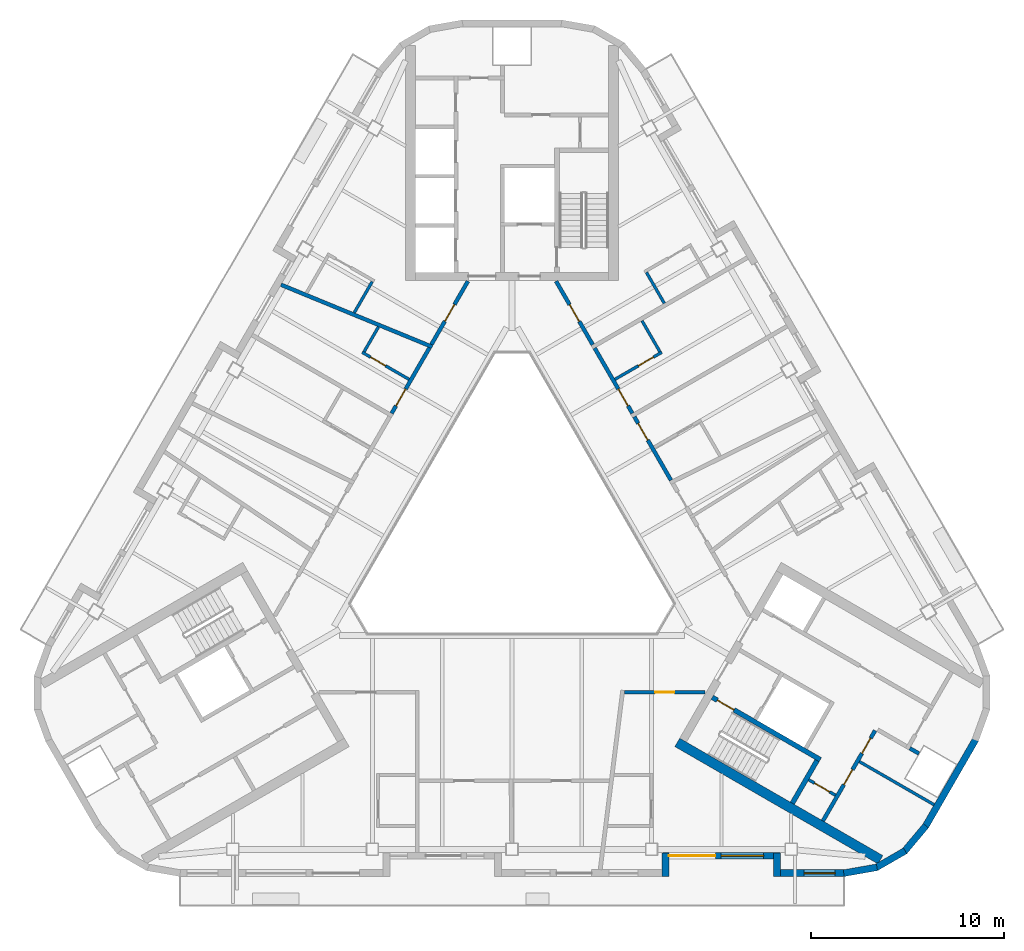
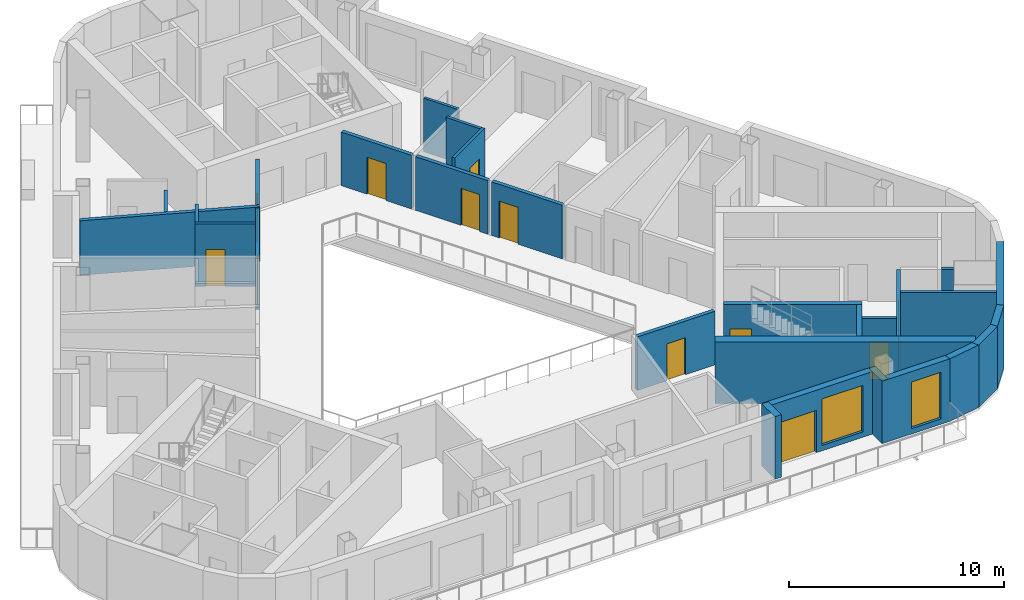
# One storey, part 5 of 13: 28 walls, 13 doors, 2 windows, 15 openings.
"""IFC4 building model written with IfcOpenShell, lengths in metres."""

import ifcopenshell
import ifcopenshell.guid

model = None  # the IFC model being written
_history = None  # IfcOwnerHistory: only IFC2X3 demands one
_inside = {}  # id of a spatial element -> (the spatial element, [elements in it])
_under = {}  # id of a project, library or spatial element -> (it, [spatial elements below it])
_declared = {}  # id of a project -> (the project, [libraries it declares])
_typed = {}  # id of a type object -> (the type object, [elements of that type])
_made_of = {}  # id of a material, layer set ... -> (it, [elements and type objects made of it])


def new_model(schema):
    """Start an empty IFC model of exactly this schema.

    Asked for "IFC4X3", IfcOpenShell would pick the latest addendum, in which some entities
    have other attributes; the version numbers below select the first issue.
    IFC2X3 requires an IfcOwnerHistory on every rooted entity: one is made here for all.
    """
    global model, _history
    if schema == "IFC4X3":
        model = ifcopenshell.file(schema_version=(4, 3, 0, 0))
    else:
        model = ifcopenshell.file(schema=schema)
    _inside.clear()
    _under.clear()
    _declared.clear()
    _typed.clear()
    _made_of.clear()
    _history = None
    if model.schema == "IFC2X3":
        org = make("IfcOrganization", Name="unknown")
        user = make(
            "IfcPersonAndOrganization",
            ThePerson=make("IfcPerson", FamilyName="unknown"),
            TheOrganization=org,
        )
        app = make(
            "IfcApplication",
            ApplicationDeveloper=org,
            Version="unknown",
            ApplicationFullName="unknown",
            ApplicationIdentifier="unknown",
        )
        _history = make(
            "IfcOwnerHistory",
            OwningUser=user,
            OwningApplication=app,
            ChangeAction="ADDED",
            CreationDate=0,
        )
    return model


def make(cls, **values):
    """One entity of the class cls with the attributes given. An attribute that is None is left unset."""
    return model.create_entity(
        cls, **{name: value for name, value in values.items() if value is not None}
    )


def rooted(cls, **values):
    """An entity with a GlobalId (a new one), such as an element, a storey or a relation."""
    return make(cls, GlobalId=ifcopenshell.guid.new(), OwnerHistory=_history, **values)


def si_unit(unit_type, name, prefix=None):
    """IfcSIUnit, for example si_unit("LENGTHUNIT", "METRE", prefix="MILLI")."""
    return make("IfcSIUnit", UnitType=unit_type, Prefix=prefix, Name=name)


def assignment(units):
    """IfcUnitAssignment: the units of a project."""
    return None if units is None else make("IfcUnitAssignment", Units=units)


def point(xyz):
    """IfcCartesianPoint."""
    return None if xyz is None else make("IfcCartesianPoint", Coordinates=xyz)


def direction(xyz):
    """IfcDirection."""
    return None if xyz is None else make("IfcDirection", DirectionRatios=xyz)


def frame(location, z_axis=None, x_axis=None):
    """IfcAxis2Placement3D, a coordinate frame: its origin and axes. An axis left out is left unset."""
    return make(
        "IfcAxis2Placement3D",
        Location=point(location),
        Axis=direction(z_axis),
        RefDirection=direction(x_axis),
    )


def frame_2d(location, x_axis=None):
    """IfcAxis2Placement2D, a coordinate frame in the plane: its origin and x axis."""
    return make(
        "IfcAxis2Placement2D", Location=point(location), RefDirection=direction(x_axis)
    )


def origin():
    """The frame at (0, 0, 0) with its axes left unset."""
    return frame((0.0, 0.0, 0.0))


def place(relative_to, where):
    """IfcLocalPlacement: puts the frame where relative to a parent placement (None: the world)."""
    return make(
        "IfcLocalPlacement", PlacementRelTo=relative_to, RelativePlacement=where
    )


def context(
    kind, dimensions, precision=None, world=None, true_north=None, identifier=None
):
    """IfcGeometricRepresentationContext, for example the 3D "Model" context."""
    return make(
        "IfcGeometricRepresentationContext",
        ContextIdentifier=identifier,
        ContextType=kind,
        CoordinateSpaceDimension=dimensions,
        Precision=precision,
        WorldCoordinateSystem=world,
        TrueNorth=true_north,
    )


def subcontext(parent, identifier, kind, view, scale=None):
    """IfcGeometricRepresentationSubContext, for example "Body" below "Model"."""
    return make(
        "IfcGeometricRepresentationSubContext",
        ContextIdentifier=identifier,
        ContextType=kind,
        ParentContext=parent,
        TargetScale=scale,
        TargetView=view,
    )


def project(units=None, contexts=None):
    """IfcProject with its units and contexts."""
    return rooted(
        "IfcProject",
        Name="project",
        RepresentationContexts=contexts,
        UnitsInContext=assignment(units),
    )


def spatial(cls, under=None, at=None, **own):
    """A site, building, storey or space (cls), placed at a placement, below another one or the project."""
    s = rooted(cls, ObjectPlacement=at, **own)
    if under is not None:
        _under.setdefault(under.id(), (under, []))[1].append(s)
    return s


def profile(cls, at=None, kind="AREA", **sizes):
    """A parametric profile (cls). Its sizes go by their IFC names, for example OverallWidth=200.0."""
    return make(cls, ProfileType=kind, Position=at, **sizes)


def rectangle(**sizes):
    """IfcRectangleProfileDef."""
    return profile("IfcRectangleProfileDef", **sizes)


def extrude(swept, where, along, depth):
    """IfcExtrudedAreaSolid: the profile swept, set in the frame where, extruded along a direction by depth."""
    return make(
        "IfcExtrudedAreaSolid",
        SweptArea=swept,
        Position=where,
        ExtrudedDirection=direction(along),
        Depth=depth,
    )


def shape(context_of_items, identifier, shape_type, items):
    """IfcShapeRepresentation: the items that make up one representation, for example the "Body"."""
    return make(
        "IfcShapeRepresentation",
        ContextOfItems=context_of_items,
        RepresentationIdentifier=identifier,
        RepresentationType=shape_type,
        Items=items,
    )


def material(Name=None, Category=None):
    """IfcMaterial."""
    return make("IfcMaterial", Name=Name, Category=Category)


def layer(
    of_material, thickness, ventilated=None, Name=None, Category=None, Priority=None
):
    """IfcMaterialLayer: one layer of a wall or slab, of a material (None: an air gap)."""
    return make(
        "IfcMaterialLayer",
        Material=of_material,
        LayerThickness=thickness,
        IsVentilated=ventilated,
        Name=Name,
        Category=Category,
        Priority=Priority,
    )


def layer_set(layers, Name=None):
    """IfcMaterialLayerSet."""
    return make("IfcMaterialLayerSet", MaterialLayers=layers, LayerSetName=Name)


def made_of(thing, what):
    """Note that an element or type object is made of a material, layer set ...; save() writes the relation."""
    if what is not None:
        _made_of.setdefault(what.id(), (what, []))[1].append(thing)
    return thing


def type_object(cls, material=None, **own):
    """A type object (cls), such as IfcWallType, which elements share."""
    return made_of(rooted(cls, **own), material)


def element(
    cls,
    number,
    at=None,
    inside=None,
    cuts=None,
    type_object=None,
    material=None,
    context=None,
    identifier="Body",
    shape_type=None,
    held_by="IfcProductDefinitionShape",
    body=None,
    shapes=None,
    **own,
):
    """One element of the class cls, such as IfcWall. Its Tag is "e" and its number.

    at: its placement. inside: the storey or other place that contains it. cuts: it is an
    opening in that element (IfcRelVoidsElement). A single representation is given by context,
    identifier, shape_type and body (its items); several are given by shapes. held_by: the class
    of the entity that holds the representations. save() writes the other relations.
    """
    e = rooted(cls, Tag="e%d" % number, ObjectPlacement=at, **own)
    if body is not None:
        shapes = [shape(context, identifier, shape_type, body)]
    if shapes is not None:
        e.Representation = make(held_by, Representations=shapes)
    if inside is not None:
        _inside.setdefault(inside.id(), (inside, []))[1].append(e)
    if cuts is not None:
        rooted(
            "IfcRelVoidsElement", RelatingBuildingElement=cuts, RelatedOpeningElement=e
        )
    if type_object is not None:
        _typed.setdefault(type_object.id(), (type_object, []))[1].append(e)
    return made_of(e, material)


def fill(opening, filler):
    """IfcRelFillsElement: the door or window that sits in an opening."""
    return rooted(
        "IfcRelFillsElement",
        RelatingOpeningElement=opening,
        RelatedBuildingElement=filler,
    )


def aggregate(whole, parts):
    """IfcRelAggregates: a whole, such as a stair, and the parts it consists of."""
    return rooted("IfcRelAggregates", RelatingObject=whole, RelatedObjects=parts)


def save(model, path):
    """Write the relations noted so far, then the file.

    IfcRelAggregates (storeys below a building ...), IfcRelContainedInSpatialStructure (elements
    in a storey), IfcRelDefinesByType, IfcRelAssociatesMaterial and IfcRelDeclares: one each for
    every whole, place, type object, material and project.
    """
    for whole, parts in _under.values():
        aggregate(whole, parts)
    for where, things in _inside.values():
        rooted(
            "IfcRelContainedInSpatialStructure",
            RelatedElements=things,
            RelatingStructure=where,
        )
    for kind, things in _typed.values():
        rooted("IfcRelDefinesByType", RelatedObjects=things, RelatingType=kind)
    for what, things in _made_of.values():
        rooted("IfcRelAssociatesMaterial", RelatedObjects=things, RelatingMaterial=what)
    for by, libraries in _declared.values():
        rooted("IfcRelDeclares", RelatingContext=by, RelatedDefinitions=libraries)
    model.write(path)


model = new_model("IFC4")

# Units and contexts
model_context = context("Model", 3, precision=1e-05, world=origin(), true_north=direction((0.0, 1.0)))
body_context = subcontext(model_context, "Body", "Model", "MODEL_VIEW")
ifc_project = project(units=[si_unit("LENGTHUNIT", "METRE"), si_unit("AREAUNIT", "SQUARE_METRE"), si_unit("VOLUMEUNIT", "CUBIC_METRE"), si_unit("PLANEANGLEUNIT", "RADIAN"), si_unit("MASSUNIT", "GRAM", prefix="KILO")], contexts=[model_context])

# Site, building, storey
site_placement = place(None, origin())
site = spatial("IfcSite", under=ifc_project, at=site_placement, CompositionType="ELEMENT")
building_placement = place(site_placement, origin())
building = spatial("IfcBuilding", under=site, at=building_placement, Name="Apuvela Tower Hotel", CompositionType="ELEMENT")
storey_placement = place(building_placement, frame((0.0, 0.0, 283.699951171875)))
storey = spatial("IfcBuildingStorey", under=building, at=storey_placement, Name="L70", CompositionType="ELEMENT", Elevation=283.699951171875)

# Wall
ifc_material_1 = material(Name="Concrete C50/60", Category="concrete")
ifc_layer_1 = layer(ifc_material_1, 0.5)
ifc_layer_set_1 = layer_set([ifc_layer_1], Name="COR-WALL-CORE-500")
wall_type_1 = type_object("IfcWallType", Name="COR-WALL-CORE-500", PredefinedType="SHEAR", material=ifc_layer_set_1)
wall_1_placement = place(storey_placement, frame((8.546630859375, -10.99658203125, 0.0), z_axis=(0.0, 0.0, 1.0), x_axis=(0.866024688907, -0.500001238203, 0.0)))
element("IfcWall", 1, at=wall_1_placement, inside=storey, type_object=wall_type_1, Name="Core wall SE", PredefinedType="SHEAR", context=body_context, shape_type="SweptSolid", body=[
    extrude(rectangle(XDim=12.12890625, YDim=0.5, at=frame_2d((6.064453125, 0.0))), origin(), (0.0, 0.0, 1.0), 3.5),
])

# Wall, opening, door
ifc_material_2 = material(Name="Blockwork 150 mm plastered", Category="masonry")
ifc_layer_2 = layer(ifc_material_2, 0.14990234375)
ifc_layer_set_2 = layer_set([ifc_layer_2], Name="COR-WALL-PART-150")
wall_type_2 = type_object("IfcWallType", Name="COR-WALL-PART-150", PredefinedType="PARTITIONING", material=ifc_layer_set_2)
wall_2_placement = place(storey_placement, frame((15.341552734375, -12.927734375, 0.0), z_axis=(0.0, 0.0, 1.0), x_axis=(0.865989903783, -0.500061482766, 0.0)))
wall_2 = element("IfcWall", 2, at=wall_2_placement, inside=storey, type_object=wall_type_2, Name="Partition SE", PredefinedType="PARTITIONING", context=body_context, shape_type="SweptSolid", body=[
    extrude(rectangle(XDim=1.599853515625, YDim=0.14990234375, at=frame_2d((0.7998046875, 0.0))), origin(), (0.0, 0.0, 1.0), 3.5),
])
opening_1_placement = place(wall_2_placement, frame((0.35009765625, 0.0, 0.0)))
opening_1 = element("IfcOpeningElement", 3, at=opening_1_placement, cuts=wall_2, Name="Opening E-RD", PredefinedType="OPENING", context=body_context, shape_type="SweptSolid", body=[
    extrude(rectangle(XDim=0.89990234375, YDim=2.10009765625, at=frame_2d((0.449951171875, 1.050048828125))), frame((0.0, 0.0849609375, 0.0), z_axis=(0.0, -1.0, 0.0), x_axis=(1.0, 0.0, 0.0)), (0.0, 0.0, 1.0), 0.169921875),
])
ifc_material_3 = material(Name="Steel access door, powder coated", Category="steel")
door_type_1 = type_object("IfcDoorType", Name="COR-RD-900", OperationType="NOTDEFINED", PredefinedType="DOOR", material=ifc_material_3)
door_1_placement = place(opening_1_placement, frame((0.89990234375, 0.0, 0.0), z_axis=(0.0, 0.0, 1.0), x_axis=(-1.0, 0.0, 0.0)))
door_1 = element("IfcDoor", 4, at=door_1_placement, inside=storey, type_object=door_type_1, Name="Riser door E-RD", OperationType="SINGLE_SWING_LEFT", OverallHeight=2.10009765625, OverallWidth=0.89990234375, PredefinedType="DOOR", context=body_context, shape_type="SweptSolid", body=[
    extrude(rectangle(XDim=0.89990234375, YDim=2.10009765625, at=frame_2d((0.449951171875, 1.050048828125))), frame((0.0, 0.02490234375, 0.0), z_axis=(0.0, -1.0, 0.0), x_axis=(1.0, 0.0, 0.0)), (0.0, 0.0, 1.0), 0.050048828125),
])
fill(opening_1, door_1)

# Wall
wall_3_placement = place(storey_placement, frame((17.962890625, -11.9873046875, 0.0), z_axis=(0.0, 0.0, 1.0), x_axis=(0.866010510293, -0.500025795397, 0.0)))
element("IfcWall", 5, at=wall_3_placement, inside=storey, type_object=wall_type_2, Name="Partition SE", PredefinedType="PARTITIONING", context=body_context, shape_type="SweptSolid", body=[
    extrude(rectangle(XDim=4.458740234375, YDim=0.14990234375, at=frame_2d((2.2294921875, 0.0))), origin(), (0.0, 0.0, 1.0), 3.5),
])

# Wall, openings, doors
ifc_material_4 = material(Name="Blockwork 200 mm plastered", Category="masonry")
ifc_layer_3 = layer(ifc_material_4, 0.199951171875)
ifc_layer_set_3 = layer_set([ifc_layer_3], Name="COR-WALL-PART-200")
wall_type_3 = type_object("IfcWallType", Name="COR-WALL-PART-200", PredefinedType="PARTITIONING", material=ifc_layer_set_3)
wall_4_placement = place(storey_placement, frame((16.076171875, -15.05517578125, 0.0), z_axis=(0.0, 0.0, 1.0), x_axis=(0.499995103361, 0.866028230842, 0.0)))
wall_4 = element("IfcWall", 6, at=wall_4_placement, inside=storey, type_object=wall_type_3, Name="Partition SE", PredefinedType="PARTITIONING", context=body_context, shape_type="SweptSolid", body=[
    extrude(rectangle(XDim=5.39990234375, YDim=0.199951171875, at=frame_2d((2.699951171875, 0.0))), origin(), (0.0, 0.0, 1.0), 3.5),
])
opening_2_placement = place(wall_4_placement, frame((2.16259765625, 0.0, 0.0)))
opening_2 = element("IfcOpeningElement", 7, at=opening_2_placement, cuts=wall_4, Name="Opening E-RS1", PredefinedType="OPENING", context=body_context, shape_type="SweptSolid", body=[
    extrude(rectangle(XDim=0.89990234375, YDim=2.10009765625, at=frame_2d((0.449951171875, 1.050048828125))), frame((0.0, 0.10986328125, 0.0), z_axis=(0.0, -1.0, 0.0), x_axis=(1.0, 0.0, 0.0)), (0.0, 0.0, 1.0), 0.219970703125),
])
opening_3_placement = place(wall_4_placement, frame((4.03759765625, 0.0, 0.0)))
opening_3 = element("IfcOpeningElement", 8, at=opening_3_placement, cuts=wall_4, Name="Opening E-RS2", PredefinedType="OPENING", context=body_context, shape_type="SweptSolid", body=[
    extrude(rectangle(XDim=0.89990234375, YDim=2.10009765625, at=frame_2d((0.449951171875, 1.050048828125))), frame((0.0, 0.10986328125, 0.0), z_axis=(0.0, -1.0, 0.0), x_axis=(1.0, 0.0, 0.0)), (0.0, 0.0, 1.0), 0.219970703125),
])
ifc_material_5 = material(Name="Steel fire door, powder coated", Category="steel")
door_type_2 = type_object("IfcDoorType", Name="COR-DR-900", OperationType="NOTDEFINED", PredefinedType="DOOR", material=ifc_material_5)
door_2_placement = place(opening_2_placement, frame((0.89990234375, 0.0, 0.0), z_axis=(0.0, 0.0, 1.0), x_axis=(-1.0, 0.0, 0.0)))
door_2 = element("IfcDoor", 9, at=door_2_placement, inside=storey, type_object=door_type_2, Name="Store door E-RS1", OperationType="SINGLE_SWING_LEFT", OverallHeight=2.10009765625, OverallWidth=0.89990234375, PredefinedType="DOOR", context=body_context, shape_type="SweptSolid", body=[
    extrude(rectangle(XDim=0.89990234375, YDim=2.10009765625, at=frame_2d((0.449951171875, 1.050048828125))), frame((0.0, 0.02490234375, 0.0), z_axis=(0.0, -1.0, 0.0), x_axis=(1.0, 0.0, 0.0)), (0.0, 0.0, 1.0), 0.050048828125),
])
fill(opening_2, door_2)
door_3_placement = place(opening_3_placement, frame((0.89990234375, 0.0, 0.0), z_axis=(0.0, 0.0, 1.0), x_axis=(-1.0, 0.0, 0.0)))
door_3 = element("IfcDoor", 10, at=door_3_placement, inside=storey, type_object=door_type_2, Name="Store door E-RS2", OperationType="SINGLE_SWING_LEFT", OverallHeight=2.10009765625, OverallWidth=0.89990234375, PredefinedType="DOOR", context=body_context, shape_type="SweptSolid", body=[
    extrude(rectangle(XDim=0.89990234375, YDim=2.10009765625, at=frame_2d((0.449951171875, 1.050048828125))), frame((0.0, 0.02490234375, 0.0), z_axis=(0.0, -1.0, 0.0), x_axis=(1.0, 0.0, 0.0)), (0.0, 0.0, 1.0), 0.050048828125),
])
fill(opening_3, door_3)

# Wall
ifc_layer_4 = layer(ifc_material_1, 0.199951171875)
ifc_layer_set_4 = layer_set([ifc_layer_4], Name="COR-WALL-SHAFT-200")
wall_type_4 = type_object("IfcWallType", Name="COR-WALL-SHAFT-200", PredefinedType="SHEAR", material=ifc_layer_set_4)
wall_5_placement = place(storey_placement, frame((20.56689453125, -11.297119140625, 0.0), z_axis=(0.0, 0.0, 1.0), x_axis=(0.866237429803, -0.49963258021, 0.0)))
element("IfcWall", 11, at=wall_5_placement, inside=storey, type_object=wall_type_4, Name="Shaft wall SE", PredefinedType="SHEAR", context=body_context, shape_type="SweptSolid", body=[
    extrude(rectangle(XDim=0.548828125, YDim=0.199951171875, at=frame_2d((0.2744140625, 0.0))), origin(), (0.0, 0.0, 1.0), 3.5),
])

# Wall, opening, door
ifc_layer_5 = layer(ifc_material_1, 0.25)
ifc_layer_set_5 = layer_set([ifc_layer_5], Name="COR-WALL-STAIR-250")
wall_type_5 = type_object("IfcWallType", Name="COR-WALL-STAIR-250", PredefinedType="SHEAR", material=ifc_layer_set_5)
wall_6_placement = place(storey_placement, frame((10.355712890625, -8.66357421875, 0.0), z_axis=(0.0, 0.0, 1.0), x_axis=(0.866028629588, -0.499994412703, 0.0)))
wall_6 = element("IfcWall", 12, at=wall_6_placement, inside=storey, type_object=wall_type_5, Name="Stair wall SE", PredefinedType="SHEAR", context=body_context, shape_type="SweptSolid", body=[
    extrude(rectangle(XDim=6.44970703125, YDim=0.25, at=frame_2d((3.224853515625, 0.0))), origin(), (0.0, 0.0, 1.0), 3.5),
])
opening_4_placement = place(wall_6_placement, frame((0.300048828125, 0.0, 0.0)))
opening_4 = element("IfcOpeningElement", 13, at=opening_4_placement, cuts=wall_6, Name="Opening E-SD", PredefinedType="OPENING", context=body_context, shape_type="SweptSolid", body=[
    extrude(rectangle(XDim=1.0, YDim=2.10009765625, at=frame_2d((0.5, 1.050048828125))), frame((0.0, 0.135009765625, 0.0), z_axis=(0.0, -1.0, 0.0), x_axis=(1.0, 0.0, 0.0)), (0.0, 0.0, 1.0), 0.27001953125),
])
door_type_3 = type_object("IfcDoorType", Name="COR-SD-1000", OperationType="NOTDEFINED", PredefinedType="DOOR", material=ifc_material_5)
door_4_placement = place(opening_4_placement, frame((1.0, 0.0, 0.0), z_axis=(0.0, 0.0, 1.0), x_axis=(-1.0, 0.0, 0.0)))
door_4 = element("IfcDoor", 14, at=door_4_placement, inside=storey, type_object=door_type_3, Name="Stair door E-SD", OperationType="SINGLE_SWING_LEFT", OverallHeight=2.10009765625, OverallWidth=1.0, PredefinedType="DOOR", context=body_context, shape_type="SweptSolid", body=[
    extrude(rectangle(XDim=1.0, YDim=2.10009765625, at=frame_2d((0.5, 1.050048828125))), frame((0.0, 0.02490234375, 0.0), z_axis=(0.0, -1.0, 0.0), x_axis=(1.0, 0.0, 0.0)), (0.0, 0.0, 1.0), 0.050048828125),
])
fill(opening_4, door_4)

# Walls
wall_7_placement = place(storey_placement, frame((14.49560546875, -14.142578125, 0.0), z_axis=(0.0, 0.0, 1.0), x_axis=(0.500062241894, 0.865989465428, 0.0)))
element("IfcWall", 15, at=wall_7_placement, inside=storey, type_object=wall_type_5, Name="Stair wall SE", PredefinedType="SHEAR", context=body_context, shape_type="SweptSolid", body=[
    extrude(rectangle(XDim=2.550048828125, YDim=0.25, at=frame_2d((1.27490234375, 0.0))), origin(), (0.0, 0.0, 1.0), 3.5),
])
ifc_material_6 = material(Name="Concrete C40/50, dark pigmented precast panel", Category="concrete")
ifc_layer_6 = layer(ifc_material_6, 0.35009765625)
ifc_layer_set_6 = layer_set([ifc_layer_6], Name="ENV-WALL-350")
wall_type_6 = type_object("IfcWallType", Name="ENV-WALL-350", PredefinedType="SOLIDWALL", material=ifc_layer_set_6)
wall_8_placement = place(storey_placement, frame((7.9404296875, -17.9287109375, 0.0), z_axis=(0.0, 0.0, 1.0), x_axis=(0.0, 1.0, 0.0)))
element("IfcWall", 16, at=wall_8_placement, inside=storey, type_object=wall_type_6, Name="External wall L70-22", PredefinedType="SOLIDWALL", context=body_context, shape_type="SweptSolid", body=[
    extrude(rectangle(XDim=1.219970703125, YDim=0.35009765625, at=frame_2d((0.60986328125, 0.0))), origin(), (0.0, 0.0, 1.0), 3.550048828125),
])

# Wall, openings, door, window
wall_9_placement = place(storey_placement, frame((7.79541015625, -16.853759765625, 0.0), z_axis=(0.0, 0.0, 1.0), x_axis=(1.0, 0.0, 0.0)))
wall_9 = element("IfcWall", 17, at=wall_9_placement, inside=storey, type_object=wall_type_6, Name="External wall L70-23", PredefinedType="SOLIDWALL", context=body_context, shape_type="SweptSolid", body=[
    extrude(rectangle(XDim=6.05517578125, YDim=0.35009765625, at=frame_2d((3.027587890625, 0.0))), origin(), (0.0, 0.0, 1.0), 3.550048828125),
])
opening_5_placement = place(wall_9_placement, frame((0.3203125, 0.0, 0.0)))
opening_5 = element("IfcOpeningElement", 18, at=opening_5_placement, cuts=wall_9, Name="Opening BD24", PredefinedType="OPENING", context=body_context, shape_type="SweptSolid", body=[
    extrude(rectangle(XDim=2.39990234375, YDim=2.39990234375, at=frame_2d((1.199951171875, 1.199951171875))), frame((0.0, 0.18505859375, 0.0), z_axis=(0.0, -1.0, 0.0), x_axis=(1.0, 0.0, 0.0)), (0.0, 0.0, 1.0), 0.3701171875),
])
opening_6_placement = place(wall_9_placement, frame((3.020263671875, 0.0, 0.300048828125)))
opening_6 = element("IfcOpeningElement", 19, at=opening_6_placement, cuts=wall_9, Name="Opening WN22", PredefinedType="OPENING", context=body_context, shape_type="SweptSolid", body=[
    extrude(rectangle(XDim=2.199951171875, YDim=2.64990234375, at=frame_2d((1.10009765625, 1.324951171875))), frame((0.0, 0.18505859375, 0.0), z_axis=(0.0, -1.0, 0.0), x_axis=(1.0, 0.0, 0.0)), (0.0, 0.0, 1.0), 0.3701171875),
])
ifc_material_7 = material(Name="Aluminium 6063-T6, dark bronze anodised frame with dark tinted laminated glass", Category="aluminium")
door_type_4 = type_object("IfcDoorType", Name="ENV-DOOR-BALCONY-2400x2400", OperationType="SLIDING_TO_LEFT", PredefinedType="DOOR", material=ifc_material_7)
door_5_placement = place(opening_5_placement, frame((2.39990234375, 0.0, 0.0), z_axis=(0.0, 0.0, 1.0), x_axis=(-1.0, 0.0, 0.0)))
door_5 = element("IfcDoor", 20, at=door_5_placement, inside=storey, type_object=door_type_4, Name="Balcony door BD24", OperationType="SLIDING_TO_LEFT", OverallHeight=2.39990234375, OverallWidth=2.39990234375, PredefinedType="DOOR", context=body_context, shape_type="SweptSolid", body=[
    extrude(rectangle(XDim=2.39990234375, YDim=2.39990234375, at=frame_2d((1.199951171875, 1.199951171875))), frame((0.0, 0.02490234375, 0.0), z_axis=(0.0, -1.0, 0.0), x_axis=(1.0, 0.0, 0.0)), (0.0, 0.0, 1.0), 0.050048828125),
])
fill(opening_5, door_5)
ifc_material_8 = material(Name="Glass, dark tinted laminated insulated glazing unit", Category="glass")
window_type_1 = type_object("IfcWindowType", Name="ENV-WIN-2200x2650", PartitioningType="SINGLE_PANEL", PredefinedType="WINDOW", material=ifc_material_8)
window_1_placement = place(opening_6_placement, origin())
window_1 = element("IfcWindow", 21, at=window_1_placement, inside=storey, type_object=window_type_1, Name="Window WN22", OverallHeight=2.64990234375, OverallWidth=2.199951171875, PartitioningType="SINGLE_PANEL", PredefinedType="WINDOW", context=body_context, shape_type="SweptSolid", body=[
    extrude(rectangle(XDim=2.199951171875, YDim=2.64990234375, at=frame_2d((1.10009765625, 1.324951171875))), frame((0.0, 0.030029296875, 0.0), z_axis=(0.0, -1.0, 0.0), x_axis=(1.0, 0.0, 0.0)), (0.0, 0.0, 1.0), 0.06005859375),
])
fill(opening_6, window_1)

# Wall
wall_10_placement = place(storey_placement, frame((13.705810546875, -16.708740234375, 0.0), z_axis=(0.0, 0.0, 1.0), x_axis=(0.0, -1.0, 0.0)))
element("IfcWall", 22, at=wall_10_placement, inside=storey, type_object=wall_type_6, Name="External wall L70-24", PredefinedType="SOLIDWALL", context=body_context, shape_type="SweptSolid", body=[
    extrude(rectangle(XDim=1.219970703125, YDim=0.35009765625, at=frame_2d((0.60986328125, 0.0))), origin(), (0.0, 0.0, 1.0), 3.550048828125),
])

# Wall, opening, window
wall_11_placement = place(storey_placement, frame((13.53076171875, -17.753662109375, 0.0), z_axis=(0.0, 0.0, 1.0), x_axis=(1.0, 0.0, 0.0)))
wall_11 = element("IfcWall", 23, at=wall_11_placement, inside=storey, type_object=wall_type_6, Name="External wall L70-25", PredefinedType="SOLIDWALL", context=body_context, shape_type="SweptSolid", body=[
    extrude(rectangle(XDim=3.654296875, YDim=0.35009765625, at=frame_2d((1.8271484375, 0.0))), origin(), (0.0, 0.0, 1.0), 3.550048828125),
])
opening_7_placement = place(wall_11_placement, frame((1.5751953125, 0.0, 0.300048828125)))
opening_7 = element("IfcOpeningElement", 24, at=opening_7_placement, cuts=wall_11, Name="Opening WN16", PredefinedType="OPENING", context=body_context, shape_type="SweptSolid", body=[
    extrude(rectangle(XDim=1.60009765625, YDim=2.64990234375, at=frame_2d((0.800048828125, 1.324951171875))), frame((0.0, 0.18505859375, 0.0), z_axis=(0.0, -1.0, 0.0), x_axis=(1.0, 0.0, 0.0)), (0.0, 0.0, 1.0), 0.3701171875),
])
window_type_2 = type_object("IfcWindowType", Name="ENV-WIN-1600x2650", PartitioningType="SINGLE_PANEL", PredefinedType="WINDOW", material=ifc_material_8)
window_2_placement = place(opening_7_placement, origin())
window_2 = element("IfcWindow", 25, at=window_2_placement, inside=storey, type_object=window_type_2, Name="Window WN16", OverallHeight=2.64990234375, OverallWidth=1.60009765625, PartitioningType="SINGLE_PANEL", PredefinedType="WINDOW", context=body_context, shape_type="SweptSolid", body=[
    extrude(rectangle(XDim=1.60009765625, YDim=2.64990234375, at=frame_2d((0.800048828125, 1.324951171875))), frame((0.0, 0.030029296875, 0.0), z_axis=(0.0, -1.0, 0.0), x_axis=(1.0, 0.0, 0.0)), (0.0, 0.0, 1.0), 0.06005859375),
])
fill(opening_7, window_2)

# Walls
for number, where, z_axis, x_axis, name in (
    (26, (17.15478515625, -17.75634765625, 0.0), (0.0, 0.0, 1.0), (0.984803276474, 0.173673563465, 0.0), "External wall L70-26"),
    (27, (18.815673828125, -17.47412109375, 0.0), (0.0, 0.0, 1.0), (0.86609937154, 0.499871862198, 0.0), "External wall L70-27"),
    (28, (20.280029296875, -16.64111328125, 0.0), (0.0, 0.0, 1.0), (0.642768607723, 0.766060387258, 0.0), "External wall L70-28"),
):
    element("IfcWall", number, at=place(storey_placement, frame(where, z_axis=z_axis, x_axis=x_axis)), inside=storey, type_object=wall_type_6, Name=name, PredefinedType="SOLIDWALL", context=body_context, shape_type="SweptSolid", body=[
        extrude(rectangle(XDim=1.74462890625, YDim=0.35009765625, at=frame_2d((0.872314453125, 0.0))), origin(), (0.0, 0.0, 1.0), 3.550048828125),
    ])
wall_12_placement = place(storey_placement, frame((21.3837890625, -15.32958984375, 0.0), z_axis=(0.0, 0.0, 1.0), x_axis=(0.500020983425, 0.866013288659, 0.0)))
element("IfcWall", 29, at=wall_12_placement, inside=storey, type_object=wall_type_6, Name="External wall L70-29", PredefinedType="SOLIDWALL", context=body_context, shape_type="SweptSolid", body=[
    extrude(rectangle(XDim=5.167724609375, YDim=0.35009765625, at=frame_2d((2.583984375, 0.0))), origin(), (0.0, 0.0, 1.0), 3.550048828125),
])
ifc_material_9 = material(Name="Gypsum board partition on twin steel stud", Category="steel")
ifc_layer_7 = layer(ifc_material_9, 0.199951171875)
ifc_layer_set_7 = layer_set([ifc_layer_7], Name="GST-PW1")
wall_type_7 = type_object("IfcWallType", Name="GST-PW1", PredefinedType="PARTITIONING", material=ifc_layer_set_7)
wall_13_placement = place(storey_placement, frame((-11.943603515625, 12.67041015625, 0.0), z_axis=(0.0, 0.0, 1.0), x_axis=(0.924897439871, -0.380216682591, 0.0)))
element("IfcWall", 30, at=wall_13_placement, inside=storey, type_object=wall_type_7, Name="L70 partition 08", PredefinedType="PARTITIONING", context=body_context, shape_type="SweptSolid", body=[
    extrude(rectangle(XDim=8.4541015625, YDim=0.199951171875, at=frame_2d((4.22705078125, 0.0))), origin(), (0.0, 0.0, 1.0), 3.10009765625),
])

# Wall, opening, door
ifc_material_10 = material(Name="Gypsum board corridor wall on twin steel stud, acoustic", Category="steel")
ifc_layer_8 = layer(ifc_material_10, 0.199951171875)
ifc_layer_set_8 = layer_set([ifc_layer_8], Name="GST-PW2")
wall_type_8 = type_object("IfcWallType", Name="GST-PW2", PredefinedType="PARTITIONING", material=ifc_layer_set_8)
wall_14_placement = place(storey_placement, frame((9.98828125, -8.39990234375, 0.0), z_axis=(0.0, 0.0, 1.0), x_axis=(-1.0, 0.0, 0.0)))
wall_14 = element("IfcWall", 31, at=wall_14_placement, inside=storey, type_object=wall_type_8, Name="L70 partition 18", PredefinedType="PARTITIONING", context=body_context, shape_type="SweptSolid", body=[
    extrude(rectangle(XDim=4.175048828125, YDim=0.199951171875, at=frame_2d((2.08740234375, 0.0))), origin(), (0.0, 0.0, 1.0), 3.050048828125),
])
opening_8_placement = place(wall_14_placement, frame((1.58740234375, 0.0, 0.0)))
opening_8 = element("IfcOpeningElement", 32, at=opening_8_placement, cuts=wall_14, Name="Opening GD28-06", PredefinedType="OPENING", context=body_context, shape_type="SweptSolid", body=[
    extrude(rectangle(XDim=1.0, YDim=2.10009765625, at=frame_2d((0.5, 1.050048828125))), frame((0.0, 0.10986328125, 0.0), z_axis=(0.0, -1.0, 0.0), x_axis=(1.0, 0.0, 0.0)), (0.0, 0.0, 1.0), 0.219970703125),
])
ifc_material_11 = material(Name="Timber door leaf in steel frame", Category="steel")
door_type_5 = type_object("IfcDoorType", Name="GST-D1", OperationType="NOTDEFINED", PredefinedType="DOOR", material=ifc_material_11)
door_6_placement = place(opening_8_placement, origin())
door_6 = element("IfcDoor", 33, at=door_6_placement, inside=storey, type_object=door_type_5, Name="Door L70-06", OperationType="SINGLE_SWING_RIGHT", OverallHeight=2.10009765625, OverallWidth=1.0, PredefinedType="DOOR", context=body_context, shape_type="SweptSolid", body=[
    extrude(rectangle(XDim=1.0, YDim=2.10009765625, at=frame_2d((0.5, 1.050048828125))), frame((0.0, 0.02490234375, 0.0), z_axis=(0.0, -1.0, 0.0), x_axis=(1.0, 0.0, 0.0)), (0.0, 0.0, 1.0), 0.050048828125),
])
fill(opening_8, door_6)

wall_15_placement = place(storey_placement, frame((6.32470703125, 5.845458984375, 0.0), z_axis=(0.0, 0.0, 1.0), x_axis=(0.499988034227, -0.866032312117, 0.0)))
wall_15 = element("IfcWall", 34, at=wall_15_placement, inside=storey, type_object=wall_type_8, Name="L70 partition 29", PredefinedType="PARTITIONING", context=body_context, shape_type="SweptSolid", body=[
    extrude(rectangle(XDim=3.79296875, YDim=0.199951171875, at=frame_2d((1.896484375, 0.0))), origin(), (0.0, 0.0, 1.0), 3.050048828125),
])
opening_9_placement = place(wall_15_placement, frame((0.4033203125, 0.0, 0.0)))
opening_9 = element("IfcOpeningElement", 35, at=opening_9_placement, cuts=wall_15, Name="Opening GD28-12", PredefinedType="OPENING", context=body_context, shape_type="SweptSolid", body=[
    extrude(rectangle(XDim=1.0, YDim=2.10009765625, at=frame_2d((0.5, 1.050048828125))), frame((0.0, 0.10986328125, 0.0), z_axis=(0.0, -1.0, 0.0), x_axis=(1.0, 0.0, 0.0)), (0.0, 0.0, 1.0), 0.219970703125),
])
door_7_placement = place(opening_9_placement, origin())
door_7 = element("IfcDoor", 36, at=door_7_placement, inside=storey, type_object=door_type_5, Name="Door L70-12", OperationType="SINGLE_SWING_LEFT", OverallHeight=2.10009765625, OverallWidth=1.0, PredefinedType="DOOR", context=body_context, shape_type="SweptSolid", body=[
    extrude(rectangle(XDim=1.0, YDim=2.10009765625, at=frame_2d((0.5, 1.050048828125))), frame((0.0, 0.02490234375, 0.0), z_axis=(0.0, -1.0, 0.0), x_axis=(1.0, 0.0, 0.0)), (0.0, 0.0, 1.0), 0.050048828125),
])
fill(opening_9, door_7)

wall_16_placement = place(storey_placement, frame((4.274658203125, 9.396240234375, 0.0), z_axis=(0.0, 0.0, 1.0), x_axis=(0.499997012787, -0.866027128446, 0.0)))
wall_16 = element("IfcWall", 37, at=wall_16_placement, inside=storey, type_object=wall_type_8, Name="L70 partition 32", PredefinedType="PARTITIONING", context=body_context, shape_type="SweptSolid", body=[
    extrude(rectangle(XDim=3.89990234375, YDim=0.199951171875, at=frame_2d((1.949951171875, 0.0))), origin(), (0.0, 0.0, 1.0), 3.050048828125),
])
opening_10_placement = place(wall_16_placement, frame((2.449951171875, 0.0, 0.0)))
opening_10 = element("IfcOpeningElement", 38, at=opening_10_placement, cuts=wall_16, Name="Opening GD28-14", PredefinedType="OPENING", context=body_context, shape_type="SweptSolid", body=[
    extrude(rectangle(XDim=1.0, YDim=2.10009765625, at=frame_2d((0.5, 1.050048828125))), frame((0.0, 0.10986328125, 0.0), z_axis=(0.0, -1.0, 0.0), x_axis=(1.0, 0.0, 0.0)), (0.0, 0.0, 1.0), 0.219970703125),
])
door_8_placement = place(opening_10_placement, origin())
door_8 = element("IfcDoor", 39, at=door_8_placement, inside=storey, type_object=door_type_5, Name="Door L70-14", OperationType="SINGLE_SWING_RIGHT", OverallHeight=2.10009765625, OverallWidth=1.0, PredefinedType="DOOR", context=body_context, shape_type="SweptSolid", body=[
    extrude(rectangle(XDim=1.0, YDim=2.10009765625, at=frame_2d((0.5, 1.050048828125))), frame((0.0, 0.02490234375, 0.0), z_axis=(0.0, -1.0, 0.0), x_axis=(1.0, 0.0, 0.0)), (0.0, 0.0, 1.0), 0.050048828125),
])
fill(opening_10, door_8)

wall_17_placement = place(storey_placement, frame((2.280517578125, 12.85009765625, 0.0), z_axis=(0.0, 0.0, 1.0), x_axis=(0.499979074716, -0.866037484666, 0.0)))
wall_17 = element("IfcWall", 40, at=wall_17_placement, inside=storey, type_object=wall_type_8, Name="L70 partition 35", PredefinedType="PARTITIONING", context=body_context, shape_type="SweptSolid", body=[
    extrude(rectangle(XDim=3.788330078125, YDim=0.199951171875, at=frame_2d((1.89404296875, 0.0))), origin(), (0.0, 0.0, 1.0), 3.050048828125),
])
opening_11_placement = place(wall_17_placement, frame((1.39404296875, 0.0, 0.0)))
opening_11 = element("IfcOpeningElement", 41, at=opening_11_placement, cuts=wall_17, Name="Opening GD28-16", PredefinedType="OPENING", context=body_context, shape_type="SweptSolid", body=[
    extrude(rectangle(XDim=1.0, YDim=2.10009765625, at=frame_2d((0.5, 1.050048828125))), frame((0.0, 0.10986328125, 0.0), z_axis=(0.0, -1.0, 0.0), x_axis=(1.0, 0.0, 0.0)), (0.0, 0.0, 1.0), 0.219970703125),
])
door_9_placement = place(opening_11_placement, origin())
door_9 = element("IfcDoor", 42, at=door_9_placement, inside=storey, type_object=door_type_5, Name="Door L70-16", OperationType="SINGLE_SWING_RIGHT", OverallHeight=2.10009765625, OverallWidth=1.0, PredefinedType="DOOR", context=body_context, shape_type="SweptSolid", body=[
    extrude(rectangle(XDim=1.0, YDim=2.10009765625, at=frame_2d((0.5, 1.050048828125))), frame((0.0, 0.02490234375, 0.0), z_axis=(0.0, -1.0, 0.0), x_axis=(1.0, 0.0, 0.0)), (0.0, 0.0, 1.0), 0.050048828125),
])
fill(opening_11, door_9)

wall_18_placement = place(storey_placement, frame((-4.16748046875, 9.581787109375, 0.0), z_axis=(0.0, 0.0, 1.0), x_axis=(0.500000579621, 0.86602506914, 0.0)))
wall_18 = element("IfcWall", 43, at=wall_18_placement, inside=storey, type_object=wall_type_8, Name="L70 partition 39", PredefinedType="PARTITIONING", context=body_context, shape_type="SweptSolid", body=[
    extrude(rectangle(XDim=3.77392578125, YDim=0.199951171875, at=frame_2d((1.886962890625, 0.0))), origin(), (0.0, 0.0, 1.0), 3.050048828125),
])
opening_12_placement = place(wall_18_placement, frame((1.386962890625, 0.0, 0.0)))
opening_12 = element("IfcOpeningElement", 44, at=opening_12_placement, cuts=wall_18, Name="Opening GD28-18", PredefinedType="OPENING", context=body_context, shape_type="SweptSolid", body=[
    extrude(rectangle(XDim=1.0, YDim=2.10009765625, at=frame_2d((0.5, 1.050048828125))), frame((0.0, 0.10986328125, 0.0), z_axis=(0.0, -1.0, 0.0), x_axis=(1.0, 0.0, 0.0)), (0.0, 0.0, 1.0), 0.219970703125),
])
door_10_placement = place(opening_12_placement, origin())
door_10 = element("IfcDoor", 45, at=door_10_placement, inside=storey, type_object=door_type_5, Name="Door L70-18", OperationType="SINGLE_SWING_LEFT", OverallHeight=2.10009765625, OverallWidth=1.0, PredefinedType="DOOR", context=body_context, shape_type="SweptSolid", body=[
    extrude(rectangle(XDim=1.0, YDim=2.10009765625, at=frame_2d((0.5, 1.050048828125))), frame((0.0, 0.02490234375, 0.0), z_axis=(0.0, -1.0, 0.0), x_axis=(1.0, 0.0, 0.0)), (0.0, 0.0, 1.0), 0.050048828125),
])
fill(opening_12, door_10)

wall_19_placement = place(storey_placement, frame((-6.224609375, 6.018798828125, 0.0), z_axis=(0.0, 0.0, 1.0), x_axis=(0.500024943202, 0.866011002341, 0.0)))
wall_19 = element("IfcWall", 46, at=wall_19_placement, inside=storey, type_object=wall_type_8, Name="L70 partition 43", PredefinedType="PARTITIONING", context=body_context, shape_type="SweptSolid", body=[
    extrude(rectangle(XDim=3.912353515625, YDim=0.199951171875, at=frame_2d((1.9560546875, 0.0))), origin(), (0.0, 0.0, 1.0), 3.050048828125),
])
opening_13_placement = place(wall_19_placement, frame((0.449462890625, 0.0, 0.0)))
opening_13 = element("IfcOpeningElement", 47, at=opening_13_placement, cuts=wall_19, Name="Opening GD28-20", PredefinedType="OPENING", context=body_context, shape_type="SweptSolid", body=[
    extrude(rectangle(XDim=1.0, YDim=2.10009765625, at=frame_2d((0.5, 1.050048828125))), frame((0.0, 0.10986328125, 0.0), z_axis=(0.0, -1.0, 0.0), x_axis=(1.0, 0.0, 0.0)), (0.0, 0.0, 1.0), 0.219970703125),
])
door_11_placement = place(opening_13_placement, origin())
door_11 = element("IfcDoor", 48, at=door_11_placement, inside=storey, type_object=door_type_5, Name="Door L70-20", OperationType="SINGLE_SWING_LEFT", OverallHeight=2.10009765625, OverallWidth=1.0, PredefinedType="DOOR", context=body_context, shape_type="SweptSolid", body=[
    extrude(rectangle(XDim=1.0, YDim=2.10009765625, at=frame_2d((0.5, 1.050048828125))), frame((0.0, 0.02490234375, 0.0), z_axis=(0.0, -1.0, 0.0), x_axis=(1.0, 0.0, 0.0)), (0.0, 0.0, 1.0), 0.050048828125),
])
fill(opening_13, door_11)

ifc_material_12 = material(Name="Moisture-resistant gypsum board wet wall on steel stud", Category="steel")
ifc_layer_9 = layer(ifc_material_12, 0.14990234375)
ifc_layer_set_9 = layer_set([ifc_layer_9], Name="GST-PW3")
wall_type_9 = type_object("IfcWallType", Name="GST-PW3", PredefinedType="PARTITIONING", material=ifc_layer_set_9)
wall_20_placement = place(storey_placement, frame((5.32373046875, 7.779052734375, 0.0), z_axis=(0.0, 0.0, 1.0), x_axis=(0.865996816683, 0.500049511043, 0.0)))
wall_20 = element("IfcWall", 49, at=wall_20_placement, inside=storey, type_object=wall_type_9, Name="L70 partition 33", PredefinedType="PARTITIONING", context=body_context, shape_type="SweptSolid", body=[
    extrude(rectangle(XDim=2.800048828125, YDim=0.14990234375, at=frame_2d((1.39990234375, 0.0))), origin(), (0.0, 0.0, 1.0), 3.550048828125),
])
opening_14_placement = place(wall_20_placement, frame((1.39990234375, 0.0, 0.0)))
opening_14 = element("IfcOpeningElement", 50, at=opening_14_placement, cuts=wall_20, Name="Opening GD28-13", PredefinedType="OPENING", context=body_context, shape_type="SweptSolid", body=[
    extrude(rectangle(XDim=0.89990234375, YDim=2.10009765625, at=frame_2d((0.449951171875, 1.050048828125))), frame((0.0, 0.0849609375, 0.0), z_axis=(0.0, -1.0, 0.0), x_axis=(1.0, 0.0, 0.0)), (0.0, 0.0, 1.0), 0.169921875),
])
door_type_6 = type_object("IfcDoorType", Name="GST-D2", OperationType="NOTDEFINED", PredefinedType="DOOR", material=ifc_material_11)
door_12_placement = place(opening_14_placement, origin())
door_12 = element("IfcDoor", 51, at=door_12_placement, inside=storey, type_object=door_type_6, Name="Door L70-13", OperationType="SINGLE_SWING_RIGHT", OverallHeight=2.10009765625, OverallWidth=0.89990234375, PredefinedType="DOOR", context=body_context, shape_type="SweptSolid", body=[
    extrude(rectangle(XDim=0.89990234375, YDim=2.10009765625, at=frame_2d((0.449951171875, 1.050048828125))), frame((0.0, 0.02490234375, 0.0), z_axis=(0.0, -1.0, 0.0), x_axis=(1.0, 0.0, 0.0)), (0.0, 0.0, 1.0), 0.050048828125),
])
fill(opening_14, door_12)

# Walls
wall_21_placement = place(storey_placement, frame((7.64599609375, 9.20654296875, 0.0), z_axis=(0.0, 0.0, 1.0), x_axis=(-0.49994333299, 0.866058118026, 0.0)))
element("IfcWall", 52, at=wall_21_placement, inside=storey, type_object=wall_type_9, Name="L70 partition 34", PredefinedType="PARTITIONING", context=body_context, shape_type="SweptSolid", body=[
    extrude(rectangle(XDim=1.849853515625, YDim=0.14990234375, at=frame_2d((0.9248046875, 0.0))), origin(), (0.0, 0.0, 1.0), 3.550048828125),
])
wall_22_placement = place(storey_placement, frame((7.876953125, 11.706787109375, 0.0), z_axis=(0.0, 0.0, 1.0), x_axis=(-0.499985172903, 0.866033964044, 0.0)))
element("IfcWall", 53, at=wall_22_placement, inside=storey, type_object=wall_type_9, Name="L70 partition 38", PredefinedType="PARTITIONING", context=body_context, shape_type="SweptSolid", body=[
    extrude(rectangle(XDim=1.85009765625, YDim=0.14990234375, at=frame_2d((0.925048828125, 0.0))), origin(), (0.0, 0.0, 1.0), 3.050048828125),
])
wall_23_placement = place(storey_placement, frame((-7.226806640625, 12.83251953125, 0.0), z_axis=(0.0, 0.0, 1.0), x_axis=(-0.500063286585, -0.865988862174, 0.0)))
element("IfcWall", 54, at=wall_23_placement, inside=storey, type_object=wall_type_9, Name="L70 partition 42", PredefinedType="PARTITIONING", context=body_context, shape_type="SweptSolid", body=[
    extrude(rectangle(XDim=1.860107421875, YDim=0.14990234375, at=frame_2d((0.93017578125, 0.0))), origin(), (0.0, 0.0, 1.0), 3.050048828125),
])

# Wall, opening, door
wall_24_placement = place(storey_placement, frame((-7.7490234375, 9.17822265625, 0.0), z_axis=(0.0, 0.0, 1.0), x_axis=(0.866034573852, -0.49998411664, 0.0)))
wall_24 = element("IfcWall", 55, at=wall_24_placement, inside=storey, type_object=wall_type_9, Name="L70 partition 44", PredefinedType="PARTITIONING", context=body_context, shape_type="SweptSolid", body=[
    extrude(rectangle(XDim=2.7998046875, YDim=0.14990234375, at=frame_2d((1.39990234375, 0.0))), origin(), (0.0, 0.0, 1.0), 3.550048828125),
])
opening_15_placement = place(wall_24_placement, frame((0.5, 0.0, 0.0)))
opening_15 = element("IfcOpeningElement", 56, at=opening_15_placement, cuts=wall_24, Name="Opening GD28-19", PredefinedType="OPENING", context=body_context, shape_type="SweptSolid", body=[
    extrude(rectangle(XDim=0.89990234375, YDim=2.10009765625, at=frame_2d((0.449951171875, 1.050048828125))), frame((0.0, 0.0849609375, 0.0), z_axis=(0.0, -1.0, 0.0), x_axis=(1.0, 0.0, 0.0)), (0.0, 0.0, 1.0), 0.169921875),
])
door_13_placement = place(opening_15_placement, origin())
door_13 = element("IfcDoor", 57, at=door_13_placement, inside=storey, type_object=door_type_6, Name="Door L70-19", OperationType="SINGLE_SWING_LEFT", OverallHeight=2.10009765625, OverallWidth=0.89990234375, PredefinedType="DOOR", context=body_context, shape_type="SweptSolid", body=[
    extrude(rectangle(XDim=0.89990234375, YDim=2.10009765625, at=frame_2d((0.449951171875, 1.050048828125))), frame((0.0, 0.02490234375, 0.0), z_axis=(0.0, -1.0, 0.0), x_axis=(1.0, 0.0, 0.0)), (0.0, 0.0, 1.0), 0.050048828125),
])
fill(opening_15, door_13)

# Wall
wall_25_placement = place(storey_placement, frame((-6.90478515625, 10.49072265625, 0.0), z_axis=(0.0, 0.0, 1.0), x_axis=(-0.499926630096, -0.866067759775, 0.0)))
element("IfcWall", 58, at=wall_25_placement, inside=storey, type_object=wall_type_9, Name="L70 partition 45", PredefinedType="PARTITIONING", context=body_context, shape_type="SweptSolid", body=[
    extrude(rectangle(XDim=1.483642578125, YDim=0.14990234375, at=frame_2d((0.74169921875, 0.0))), origin(), (0.0, 0.0, 1.0), 3.550048828125),
])

save(model, "model.ifc")
